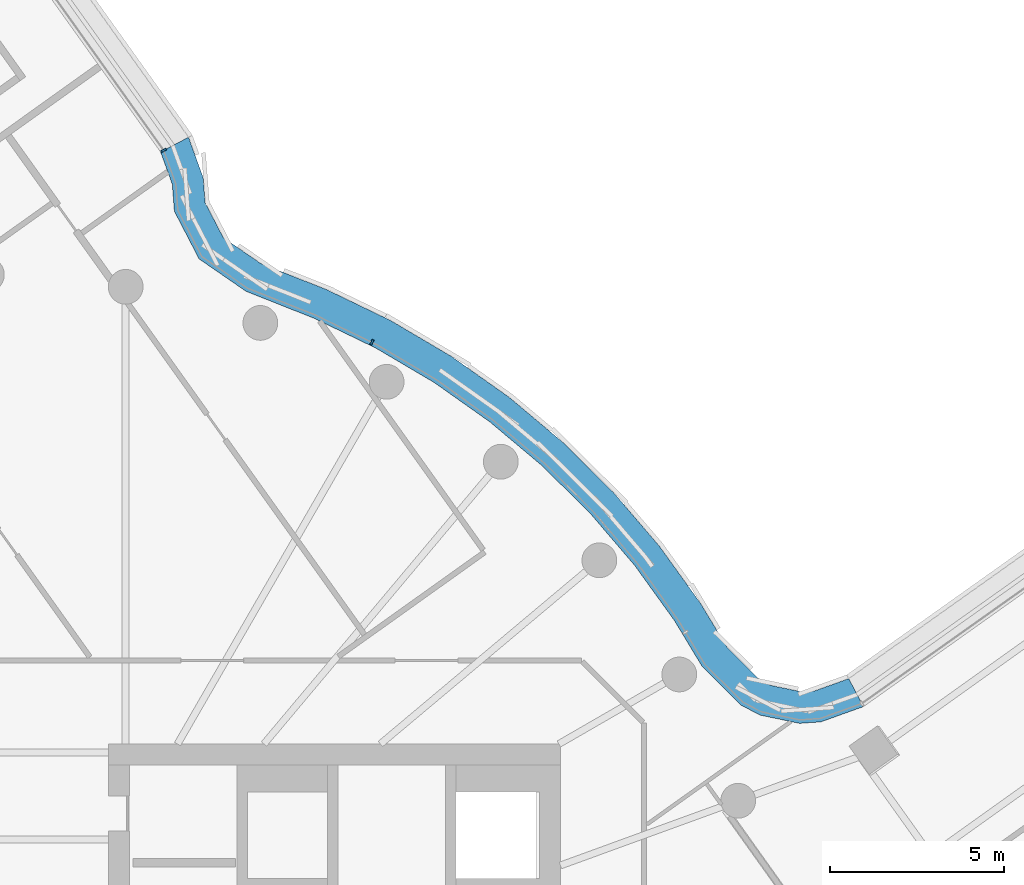
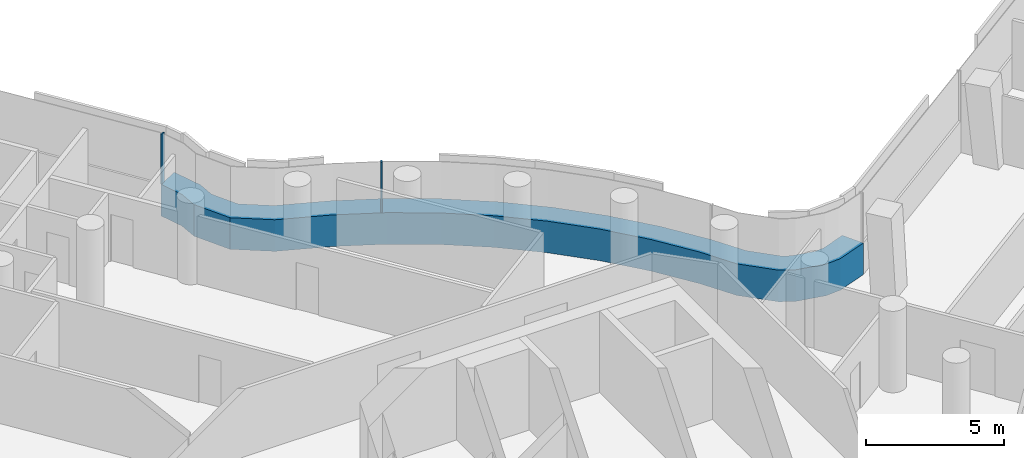
# One storey, part 14 of 31: 3 members, 2 elements without a shape of their own.
"""IFC4 building model written with IfcOpenShell, lengths in metres."""

from ifc_helpers import new_model, si_unit, direction, frame, origin, origin_2d, place, context, subcontext, project, spatial, polyline, rectangle, outline, extrude, material, layer, layer_set, material_profile, profile_set, type_object, element, aggregate, save


model = new_model("IFC4")

# Units and contexts
model_context = context("Model", 3, precision=1e-05, world=origin(), true_north=direction((0.0, 1.0)))
body_context = subcontext(model_context, "Body", "Model", "MODEL_VIEW")
ifc_project = project(units=[si_unit("LENGTHUNIT", "METRE"), si_unit("AREAUNIT", "SQUARE_METRE"), si_unit("VOLUMEUNIT", "CUBIC_METRE"), si_unit("PLANEANGLEUNIT", "RADIAN"), si_unit("MASSUNIT", "GRAM", prefix="KILO")], contexts=[model_context])

# Site, building, storey
site_placement = place(None, origin())
site = spatial("IfcSite", under=ifc_project, at=site_placement, CompositionType="ELEMENT")
building_placement = place(site_placement, origin())
building = spatial("IfcBuilding", under=site, at=building_placement, Name="Tamarind Cross Interchange Tower", CompositionType="ELEMENT")
storey_placement = place(building_placement, frame((0.0, 0.0, 163.0)))
storey = spatial("IfcBuildingStorey", under=building, at=storey_placement, Name="L40", CompositionType="ELEMENT", Elevation=163.0)

# Curtain wall, members
ifc_material_1 = material(Name="Aluminium 6063-T6", Category="aluminium")
ifc_layer = layer(ifc_material_1, 0.159912109375)
ifc_layer_set = layer_set([ifc_layer], Name="Aluminium 6063-T6")
curtain_wall_type = type_object("IfcCurtainWallType", Name="Office curtain wall, 9.0 m bays", PredefinedType="NOTDEFINED", material=ifc_layer_set)
curtain_wall_1_placement = place(storey_placement, origin())
curtain_wall_1 = element("IfcCurtainWall", 1, at=curtain_wall_1_placement, inside=storey, type_object=curtain_wall_type, Name="CWS-L40-06", PredefinedType="NOTDEFINED")
ifc_material_2 = material(Name="Aluminium and insulated spandrel panel", Category="aluminium")
member_type_1 = type_object("IfcMemberType", Name="Floor-edge blade transom", PredefinedType="USERDEFINED", material=ifc_material_2)
member_1_placement = place(storey_placement, origin())
member_1 = element("IfcMember", 2, at=member_1_placement, type_object=member_type_1, Name="CWT-L40-06", ObjectType="TRANSOM", PredefinedType="USERDEFINED", context=body_context, shape_type="SweptSolid", body=[
    extrude(outline(polyline([(25.2158203125, 10.57421875), (23.9921875, 10.13525390625), (23.376708984375, 10.0927734375), (22.240234375, 10.3310546875), (21.690185546875, 10.619140625), (20.576904296875, 11.727294921875), (19.781494140625, 13.04541015625), (18.636474609375, 14.634521484375), (17.3642578125, 16.12353515625), (15.973388671875, 17.50244140625), (14.4736328125, 18.76171875), (12.874755859375, 19.892822265625), (11.188232421875, 20.88818359375), (9.423583984375, 21.7412109375), (7.455078125, 22.521484375), (6.105224609375, 23.452880859375), (5.393798828125, 24.8251953125), (5.335205078125, 25.5986328125), (4.996826171875, 26.531982421875), (5.80078125, 26.95458984375), (6.223388671875, 25.78955078125), (6.27734375, 25.076416015625), (6.801025390625, 24.066162109375), (7.8818359375, 23.320556640625), (9.785888671875, 22.56591796875), (11.613525390625, 21.68212890625), (13.3642578125, 20.64892578125), (15.023681640625, 19.474853515625), (16.580810546875, 18.167724609375), (18.0244140625, 16.736572265625), (19.344970703125, 15.19091796875), (20.532958984375, 13.541748046875), (21.290283203125, 12.287109375), (22.228515625, 11.35302734375), (22.547119140625, 11.186279296875), (23.439208984375, 10.999267578125), (23.8056640625, 11.024658203125), (24.79541015625, 11.379638671875), (25.2158203125, 10.57421875)])), origin(), (0.0, 0.0, 1.0), 1.39990234375),
])
ifc_material_profile = material_profile(ifc_material_1, rectangle(XDim=0.06005859375, YDim=0.159912109375, at=origin_2d()), Name="Mullion CW1")
ifc_profile_set = profile_set([ifc_material_profile], Name="Aluminium 6063-T6")
member_type_2 = type_object("IfcMemberType", Name="Mullion CW1", PredefinedType="MULLION", material=ifc_profile_set)
member_2_placement = place(storey_placement, frame((11.07470703125, 21.053955078125, 1.39990234375), z_axis=(0.0, 0.0, 1.0), x_axis=(-0.900272776334, 0.435326231914, 0.0)))
member_2 = element("IfcMember", 3, at=member_2_placement, type_object=member_type_2, Name="CWM-L40-06-02", PredefinedType="MULLION", context=body_context, shape_type="SweptSolid", body=[
    extrude(rectangle(XDim=0.06005859375, YDim=0.159912109375, at=origin_2d()), origin(), (0.0, 0.0, 1.0), 2.210205078125),
])
aggregate(curtain_wall_1, [member_2, member_1])

# Curtain wall, member
curtain_wall_2_placement = place(storey_placement, origin())
curtain_wall_2 = element("IfcCurtainWall", 4, at=curtain_wall_2_placement, inside=storey, type_object=curtain_wall_type, Name="CWS-L40-07", PredefinedType="NOTDEFINED")
member_3_placement = place(storey_placement, frame((5.086181640625, 26.5791015625, 1.39990234375), z_axis=(0.0, 0.0, 1.0), x_axis=(-0.46526350842, 0.885172224899, 0.0)))
member_3 = element("IfcMember", 5, at=member_3_placement, type_object=member_type_2, Name="CWM-L40-07-00", PredefinedType="MULLION", context=body_context, shape_type="SweptSolid", body=[
    extrude(rectangle(XDim=0.06005859375, YDim=0.159912109375, at=origin_2d()), origin(), (0.0, 0.0, 1.0), 2.210205078125),
])
aggregate(curtain_wall_2, [member_3])

save(model, "model.ifc")
